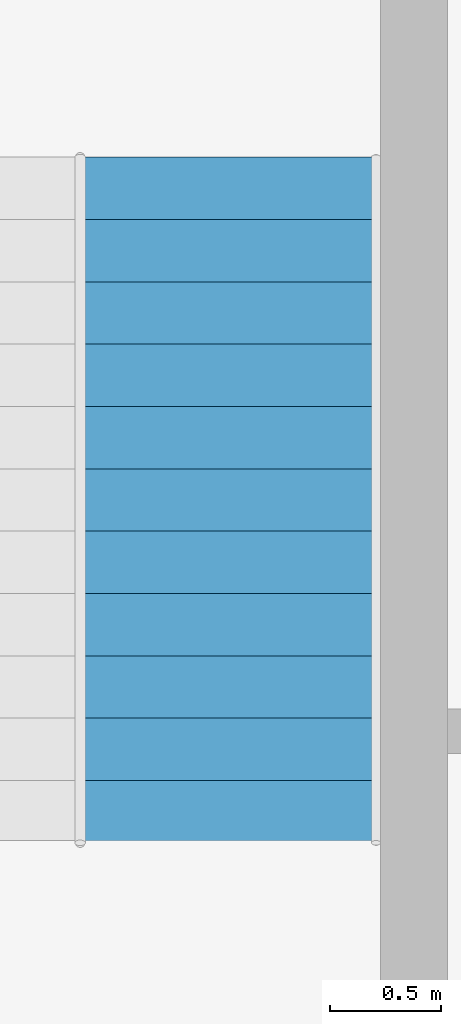
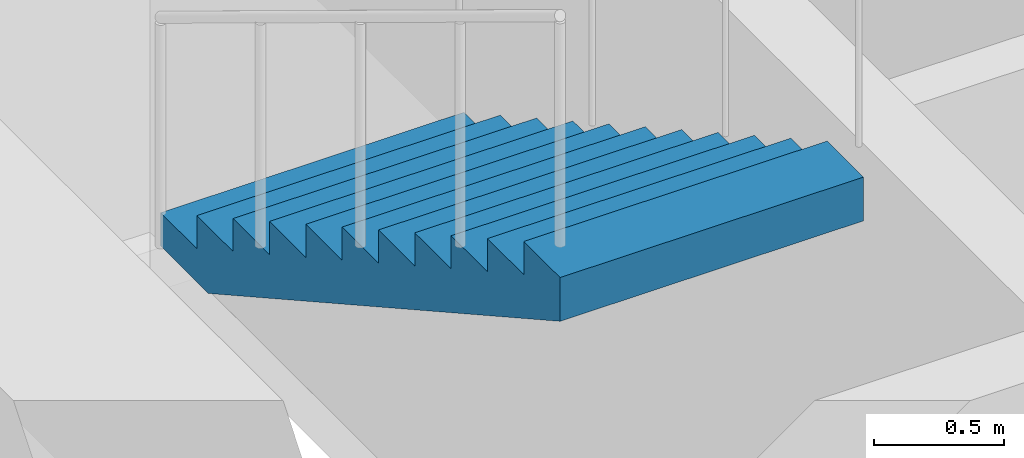
# One storey, part 15 of 16: 1 stair flight, 1 element without a shape of its own.
"""IFC4 building model written with IfcOpenShell, lengths in metres."""

from ifc_helpers import new_model, si_unit, direction, frame, origin, place, context, subcontext, project, spatial, polyline, outline, extrude, material, type_object, element, aggregate, save


model = new_model("IFC4")

# Units and contexts
model_context = context("Model", 3, precision=1e-05, world=origin(), true_north=direction((0.0, 1.0)))
body_context = subcontext(model_context, "Body", "Model", "MODEL_VIEW")
ifc_project = project(units=[si_unit("LENGTHUNIT", "METRE"), si_unit("AREAUNIT", "SQUARE_METRE"), si_unit("VOLUMEUNIT", "CUBIC_METRE"), si_unit("PLANEANGLEUNIT", "RADIAN"), si_unit("MASSUNIT", "GRAM", prefix="KILO")], contexts=[model_context])

# Site, building, storey
site_placement = place(None, origin())
site = spatial("IfcSite", under=ifc_project, at=site_placement, CompositionType="ELEMENT")
building_placement = place(site_placement, origin())
building = spatial("IfcBuilding", under=site, at=building_placement, Name="Impinga Residences", CompositionType="ELEMENT")
storey_placement = place(building_placement, frame((0.0, 0.0, 71.0)))
storey = spatial("IfcBuildingStorey", under=building, at=storey_placement, Name="L17", CompositionType="ELEMENT", Elevation=71.0)

# Stair, stair flight
ifc_material = material(Name="Concrete C40/50", Category="concrete")
stair_type = type_object("IfcStairType", Name="STR wing stair 3750 storey, 24 risers", PredefinedType="HALF_TURN_STAIR", material=ifc_material)
stair_placement = place(storey_placement, origin())
stair = element("IfcStair", 1, at=stair_placement, inside=storey, type_object=stair_type, Name="Stair WS1 L17", PredefinedType="HALF_TURN_STAIR")
stair_flight_type = type_object("IfcStairFlightType", Name="SF 12 risers of 156", PredefinedType="STRAIGHT", material=ifc_material)
stair_flight_placement = place(storey_placement, frame((3.77490234375, 25.21142578125, 1.875), z_axis=(0.0, 0.0, 1.0), x_axis=(0.0, -1.0, 0.0)))
stair_flight = element("IfcStairFlight", 2, at=stair_flight_placement, type_object=stair_flight_type, Name="WS1 flight 2", NumberOfRisers=12, NumberOfTreads=11, PredefinedType="STRAIGHT", RiserHeight=0.15625, TreadLength=0.28, context=body_context, shape_type="SweptSolid", body=[
    extrude(outline(polyline([(0.0, 0.0), (0.0, 0.15625), (0.280029296875, 0.15625), (0.280029296875, 0.3125), (0.56005859375, 0.3125), (0.56005859375, 0.46875), (0.840087890625, 0.46875), (0.840087890625, 0.625), (1.1201171875, 0.625), (1.1201171875, 0.78125), (1.39990234375, 0.78125), (1.39990234375, 0.9375), (1.679931640625, 0.9375), (1.679931640625, 1.09375), (1.9599609375, 1.09375), (1.9599609375, 1.25), (2.239990234375, 1.25), (2.239990234375, 1.40625), (2.52001953125, 1.40625), (2.52001953125, 1.5625), (2.800048828125, 1.5625), (2.800048828125, 1.71875), (3.080078125, 1.71875), (3.080078125, 1.875), (3.080078125, 1.5126953125), (0.369140625, 0.0), (0.0, 0.0)])), frame((0.0, 0.675048828125, 0.0), z_axis=(0.0, -1.0, 0.0), x_axis=(1.0, 0.0, 0.0)), (0.0, 0.0, 1.0), 1.35009765625),
])
aggregate(stair, [stair_flight])

save(model, "model.ifc")
